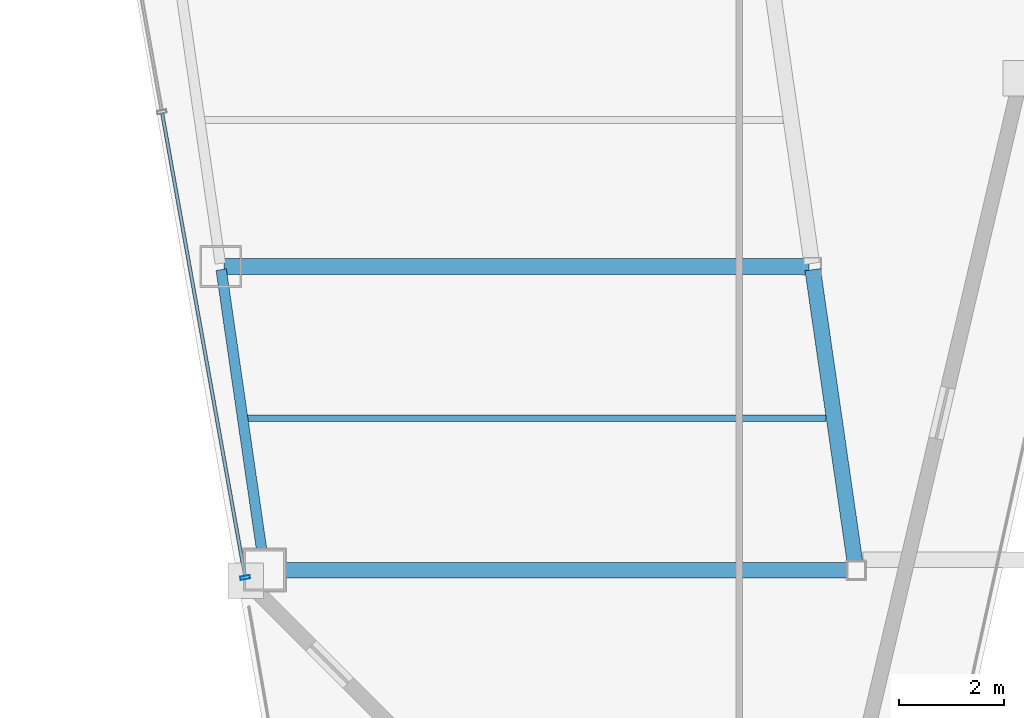
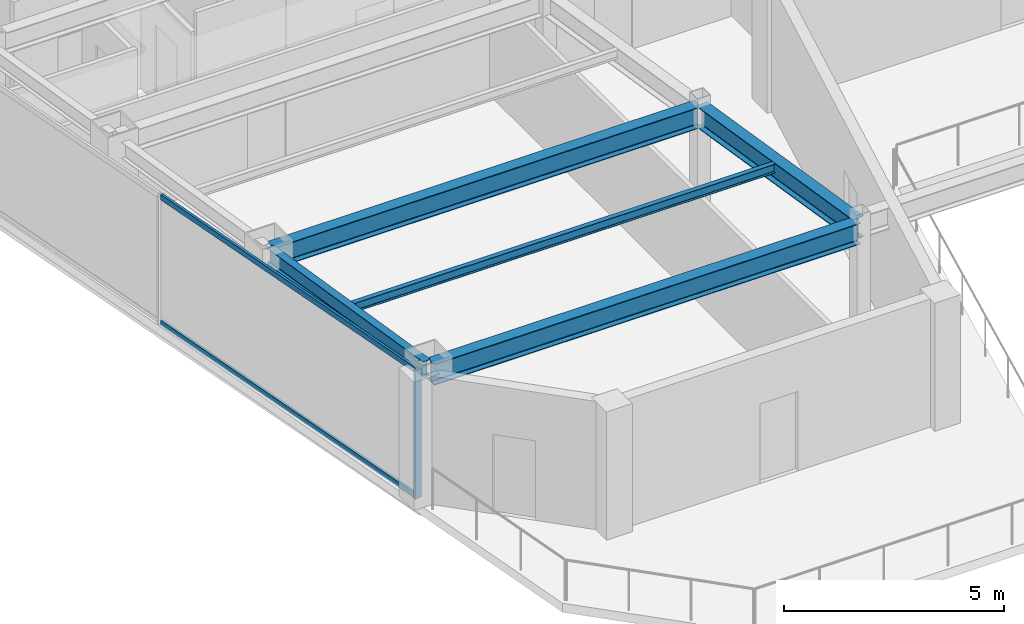
# One storey, part 3 of 28: 5 beams, 3 members, 1 element without a shape of its own.
"""IFC4 building model written with IfcOpenShell, lengths in metres."""

from ifc_helpers import new_model, si_unit, direction, frame, origin, origin_2d, place, context, subcontext, project, spatial, hollow_rectangle, i_section, extrude, material, material_profile, profile_set, type_object, element, aggregate, save


model = new_model("IFC4")

# Units and contexts
model_context = context("Model", 3, precision=1e-05, world=origin(), true_north=direction((0.0, 1.0)))
body_context = subcontext(model_context, "Body", "Model", "MODEL_VIEW")
ifc_project = project(units=[si_unit("LENGTHUNIT", "METRE"), si_unit("AREAUNIT", "SQUARE_METRE"), si_unit("VOLUMEUNIT", "CUBIC_METRE"), si_unit("PLANEANGLEUNIT", "RADIAN"), si_unit("MASSUNIT", "GRAM", prefix="KILO")], contexts=[model_context])

# Site, building, storey
site_placement = place(None, origin())
site = spatial("IfcSite", under=ifc_project, at=site_placement, CompositionType="ELEMENT")
building_placement = place(site_placement, origin())
building = spatial("IfcBuilding", under=site, at=building_placement, Name="Saevonmaru Cultural Tower", CompositionType="ELEMENT")
storey_placement = place(building_placement, frame((0.0, 0.0, 253.39990234375)))
storey = spatial("IfcBuildingStorey", under=building, at=storey_placement, Name="L59", CompositionType="ELEMENT", Elevation=253.39990234375)

# Beams
ifc_material_1 = material(Name="Steel SM355", Category="steel")
ifc_material_profile_1 = material_profile(ifc_material_1, i_section(OverallWidth=0.300048828125, OverallDepth=0.587890625, WebThickness=0.011962890625, FlangeThickness=0.02001953125, FilletRadius=0.02392578125, at=origin_2d()), Name="H-588x300x12x20")
ifc_profile_set_1 = profile_set([ifc_material_profile_1], Name="Steel SM355")
beam_type_1 = type_object("IfcBeamType", Name="BM-G-H588", PredefinedType="BEAM", material=ifc_profile_set_1)
beam_1_placement = place(storey_placement, frame((20.4453125, 26.259521484375, 3.256103515625), z_axis=(-0.142826510921, 0.989747739466, 0.0), x_axis=(-0.989747739466, -0.142826510921, 0.0)))
element("IfcBeam", 1, at=beam_1_placement, inside=storey, type_object=beam_type_1, Name="L59 West Atrium Girder 1", PredefinedType="BEAM", context=body_context, shape_type="SweptSolid", body=[
    extrude(i_section(OverallWidth=0.300048828125, OverallDepth=0.587890625, WebThickness=0.011962890625, FlangeThickness=0.02001953125, FilletRadius=0.02392578125, at=origin_2d()), origin(), (0.0, 0.0, 1.0), 5.739990234375),
])
for number, where, z_axis, x_axis, name in (
    (2, (9.214111328125, 26.199951171875, 3.256103515625), (1.0, 0.0, 0.0), (0.0, 1.0, 0.0), "L59 West Wing Transverse Girder 1"),
    (3, (8.376953125, 32.0, 3.256103515625), (1.0, 0.0, 0.0), (0.0, 1.0, 0.0), "L59 West Wing Transverse Girder 2"),
):
    element("IfcBeam", number, at=place(storey_placement, frame(where, z_axis=z_axis, x_axis=x_axis)), inside=storey, type_object=beam_type_1, Name=name, PredefinedType="BEAM", context=body_context, shape_type="SweptSolid", body=[
        extrude(i_section(OverallWidth=0.300048828125, OverallDepth=0.587890625, WebThickness=0.011962890625, FlangeThickness=0.02001953125, FilletRadius=0.02392578125, at=origin_2d()), origin(), (0.0, 0.0, 1.0), 11.179931640625),
    ])
ifc_material_profile_2 = material_profile(ifc_material_1, i_section(OverallWidth=0.125, OverallDepth=0.25, WebThickness=0.006103515625, FlangeThickness=0.009033203125, FilletRadius=0.008056640625, at=origin_2d()), Name="H-250x125x6x9")
ifc_profile_set_2 = profile_set([ifc_material_profile_2], Name="Steel SM355")
beam_type_2 = type_object("IfcBeamType", Name="BM-J-H250", PredefinedType="JOIST", material=ifc_profile_set_2)
beam_2_placement = place(storey_placement, frame((8.79541015625, 29.10009765625, 3.425048828125), z_axis=(1.0, 0.0, 0.0), x_axis=(0.0, 1.0, 0.0)))
element("IfcBeam", 4, at=beam_2_placement, inside=storey, type_object=beam_type_2, Name="L59 West Wing Floor Joist 1", PredefinedType="JOIST", context=body_context, shape_type="SweptSolid", body=[
    extrude(i_section(OverallWidth=0.125, OverallDepth=0.25, WebThickness=0.006103515625, FlangeThickness=0.009033203125, FilletRadius=0.008056640625, at=origin_2d()), origin(), (0.0, 0.0, 1.0), 11.08203125),
])
ifc_material_profile_3 = material_profile(ifc_material_1, i_section(OverallWidth=0.199951171875, OverallDepth=0.449951171875, WebThickness=0.009033203125, FlangeThickness=0.013916015625, FilletRadius=0.01806640625, at=origin_2d()), Name="H-450x200x9x14")
ifc_profile_set_3 = profile_set([ifc_material_profile_3], Name="Steel SM355")
beam_type_3 = type_object("IfcBeamType", Name="BM-SP-H450", PredefinedType="SPANDREL", material=ifc_profile_set_3)
beam_3_placement = place(storey_placement, frame((9.1455078125, 26.259521484375, 3.3251953125), z_axis=(-0.142826510921, 0.989747739466, 0.0), x_axis=(-0.989747739466, -0.142826510921, 0.0)))
element("IfcBeam", 5, at=beam_3_placement, inside=storey, type_object=beam_type_3, Name="L59 West Splayed Spandrel 1", PredefinedType="SPANDREL", context=body_context, shape_type="SweptSolid", body=[
    extrude(i_section(OverallWidth=0.199951171875, OverallDepth=0.449951171875, WebThickness=0.009033203125, FlangeThickness=0.013916015625, FilletRadius=0.01806640625, at=origin_2d()), origin(), (0.0, 0.0, 1.0), 5.739990234375),
])

# Curtain wall, members
ifc_material_2 = material(Name="Satin Bronze Anodised Aluminium", Category="aluminium")
curtain_wall_type = type_object("IfcCurtainWallType", Name="CW-TYP-B", PredefinedType="NOTDEFINED", material=ifc_material_2)
curtain_wall_placement = place(storey_placement, origin())
curtain_wall = element("IfcCurtainWall", 6, at=curtain_wall_placement, inside=storey, type_object=curtain_wall_type, Name="L59 Unitised Curtain Wall E12", PredefinedType="NOTDEFINED")
ifc_material_profile_4 = material_profile(ifc_material_2, hollow_rectangle(XDim=0.06494140625, YDim=0.179931640625, WallThickness=0.00390625, at=origin_2d()), Name="ALU-MULL-180x65x4")
ifc_profile_set_4 = profile_set([ifc_material_profile_4], Name="Satin Bronze Anodised Aluminium")
member_type_1 = type_object("IfcMemberType", Name="ML-CW-180x65", PredefinedType="MULLION", material=ifc_profile_set_4)
member_1_placement = place(storey_placement, frame((8.784912109375, 26.05908203125, 0.0), z_axis=(0.0, 0.0, 1.0), x_axis=(0.176140740755, -0.984364993001, 0.0)))
member_1 = element("IfcMember", 7, at=member_1_placement, type_object=member_type_1, Name="CW-TW-L59-E12 mullion 4", PredefinedType="MULLION", context=body_context, shape_type="SweptSolid", body=[
    extrude(hollow_rectangle(XDim=0.06494140625, YDim=0.179931640625, WallThickness=0.00390625, at=origin_2d()), origin(), (0.0, 0.0, 1.0), 3.550048828125),
])
ifc_material_profile_5 = material_profile(ifc_material_2, hollow_rectangle(XDim=0.06494140625, YDim=0.14990234375, WallThickness=0.00390625, at=origin_2d()), Name="ALU-TRAN-150x65x4")
ifc_profile_set_5 = profile_set([ifc_material_profile_5], Name="Satin Bronze Anodised Aluminium")
member_type_2 = type_object("IfcMemberType", Name="TR-CW-150x65", PredefinedType="USERDEFINED", material=ifc_profile_set_5)
member_2_placement = place(storey_placement, frame((7.19921875, 34.921142578125, 0.03271484375), z_axis=(0.176144810911, -0.984364264685, 0.0), x_axis=(0.984364264685, 0.176144810911, 0.0)))
member_2 = element("IfcMember", 8, at=member_2_placement, type_object=member_type_2, Name="CW-TW-L59-E12 transom 3.1", ObjectType="TRANSOM", PredefinedType="USERDEFINED", context=body_context, shape_type="SweptSolid", body=[
    extrude(hollow_rectangle(XDim=0.06494140625, YDim=0.14990234375, WallThickness=0.00390625, at=origin_2d()), origin(), (0.0, 0.0, 1.0), 8.97021484375),
])
member_3_placement = place(storey_placement, frame((7.19921875, 34.921142578125, 3.517578125), z_axis=(0.176144810911, -0.984364264685, 0.0), x_axis=(0.984364264685, 0.176144810911, 0.0)))
member_3 = element("IfcMember", 9, at=member_3_placement, type_object=member_type_2, Name="CW-TW-L59-E12 transom 3.2", ObjectType="TRANSOM", PredefinedType="USERDEFINED", context=body_context, shape_type="SweptSolid", body=[
    extrude(hollow_rectangle(XDim=0.06494140625, YDim=0.14990234375, WallThickness=0.00390625, at=origin_2d()), origin(), (0.0, 0.0, 1.0), 8.97021484375),
])
aggregate(curtain_wall, [member_1, member_2, member_3])

save(model, "model.ifc")
